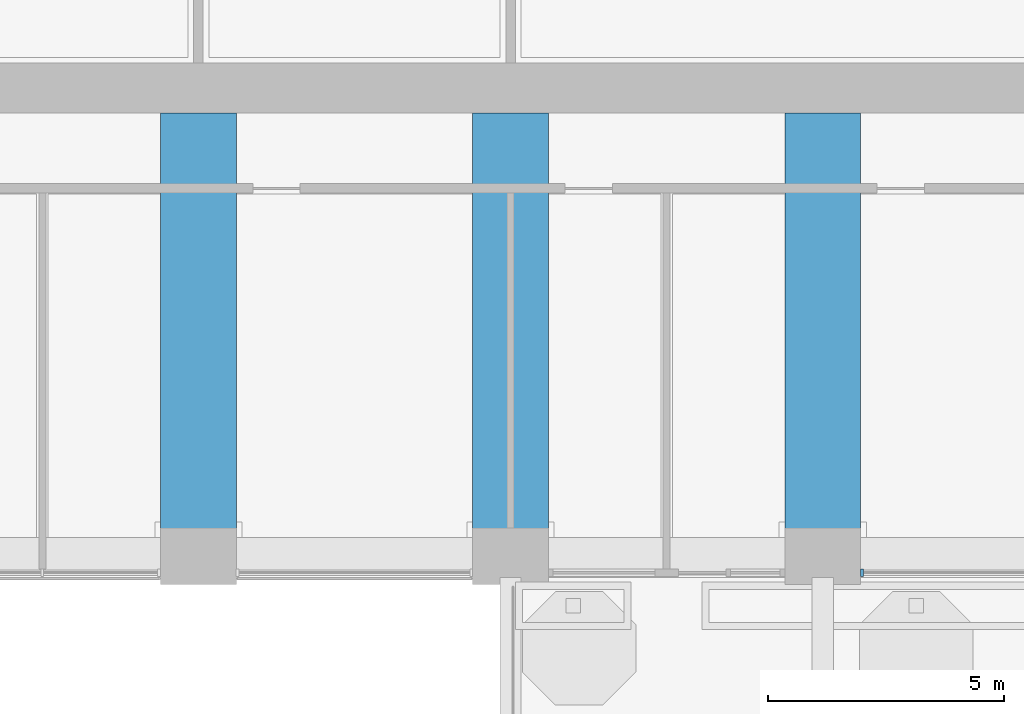
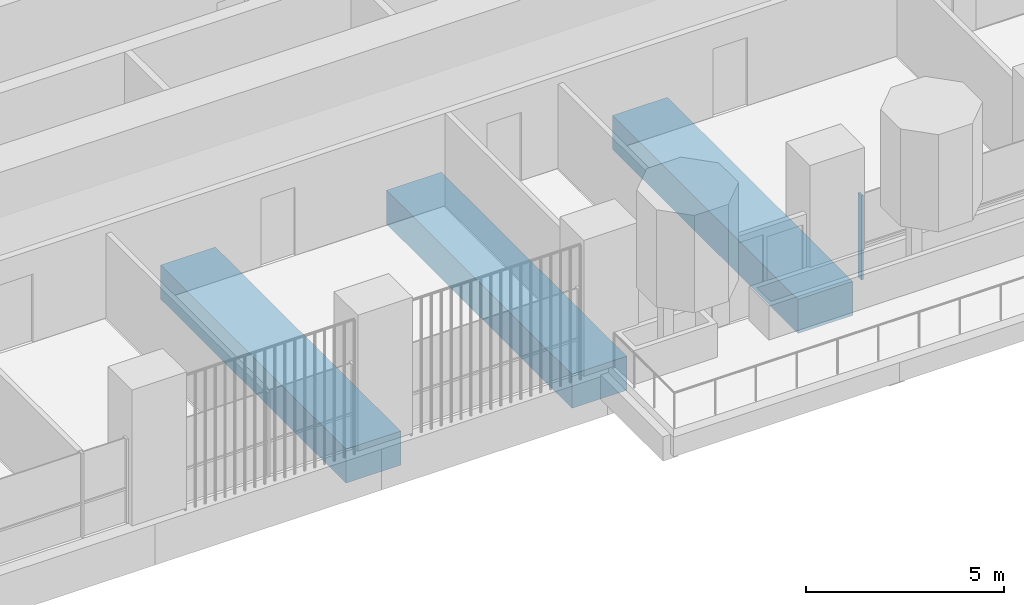
# One storey, part 3 of 20: 3 beams, 1 member, 1 element without a shape of its own.
"""IFC4 building model written with IfcOpenShell, lengths in metres."""

from ifc_helpers import new_model, si_unit, direction, frame, origin, origin_2d, place, context, subcontext, project, spatial, rectangle, extrude, material, material_profile, profile_set, type_object, element, aggregate, save


model = new_model("IFC4")

# Units and contexts
model_context = context("Model", 3, precision=1e-05, world=origin(), true_north=direction((0.0, 1.0)))
body_context = subcontext(model_context, "Body", "Model", "MODEL_VIEW")
ifc_project = project(units=[si_unit("LENGTHUNIT", "METRE"), si_unit("AREAUNIT", "SQUARE_METRE"), si_unit("VOLUMEUNIT", "CUBIC_METRE"), si_unit("PLANEANGLEUNIT", "RADIAN"), si_unit("MASSUNIT", "GRAM", prefix="KILO")], contexts=[model_context])

# Site, building, storey
site_placement = place(None, origin())
site = spatial("IfcSite", under=ifc_project, at=site_placement, CompositionType="ELEMENT")
building_placement = place(site_placement, origin())
building = spatial("IfcBuilding", under=site, at=building_placement, Name="Cobogo Forest Laboratory Tower", CompositionType="ELEMENT")
storey_placement = place(building_placement, frame((0.0, 0.0, 214.5)))
storey = spatial("IfcBuildingStorey", under=building, at=storey_placement, Name="L49", CompositionType="ELEMENT", Elevation=214.5)

# Beams
ifc_material_1 = material(Name="Concrete HA-50 (C50/60)", Category="concrete")
ifc_material_profile_1 = material_profile(ifc_material_1, rectangle(XDim=1.60009765625, YDim=1.050048828125, at=origin_2d()), Name="RC 1600x1050")
ifc_profile_set_1 = profile_set([ifc_material_profile_1], Name="Concrete HA-50 (C50/60)")
beam_type = type_object("IfcBeamType", Name="Laboratory floor wide beam 1600x1050", PredefinedType="BEAM", material=ifc_profile_set_1)
for number, where, z_axis, x_axis, name in (
    (1, (19.800048828125, 12.675048828125, -0.824951171875), (0.0, -1.0, 0.0), (1.0, 0.0, 0.0), "RB8 R-4-S L49"),
    (2, (26.39990234375, 12.675048828125, -0.824951171875), (0.0, -1.0, 0.0), (1.0, 0.0, 0.0), "RB8 R-5-S L49"),
    (3, (33.0, 12.675048828125, -0.824951171875), (0.0, -1.0, 0.0), (1.0, 0.0, 0.0), "RB8 R-6-S L49"),
):
    element("IfcBeam", number, at=place(storey_placement, frame(where, z_axis=z_axis, x_axis=x_axis)), inside=storey, type_object=beam_type, Name=name, PredefinedType="BEAM", context=body_context, shape_type="SweptSolid", body=[
        extrude(rectangle(XDim=1.60009765625, YDim=1.050048828125, at=origin_2d()), origin(), (0.0, 0.0, 1.0), 9.375),
    ])

# Curtain wall, member
ifc_material_2 = material(Name="Aluminium curtain wall", Category="aluminium")
curtain_wall_type = type_object("IfcCurtainWallType", Name="CW-2 unitised curtain wall, solar control glazing, laboratory floors zones C and D", PredefinedType="USERDEFINED", material=ifc_material_2)
curtain_wall_placement = place(storey_placement, origin())
curtain_wall = element("IfcCurtainWall", 4, at=curtain_wall_placement, inside=storey, type_object=curtain_wall_type, Name="Curtain wall 05 L49", ObjectType="UNITISED CURTAIN WALL", PredefinedType="USERDEFINED")
ifc_material_3 = material(Name="Aluminium mullion", Category="aluminium")
ifc_material_profile_2 = material_profile(ifc_material_3, rectangle(XDim=0.06005859375, YDim=0.159912109375, at=origin_2d()), Name="AL 60x160")
ifc_profile_set_2 = profile_set([ifc_material_profile_2], Name="Aluminium mullion")
member_type = type_object("IfcMemberType", Name="MU-1 aluminium mullion 60x160", PredefinedType="MULLION", material=ifc_profile_set_2)
member_placement = place(storey_placement, frame((33.830078125, 2.949951171875, 0.0), z_axis=(0.0, 0.0, 1.0), x_axis=(1.0, 0.0, 0.0)))
member = element("IfcMember", 5, at=member_placement, type_object=member_type, Name="CW-2 mullion 1", PredefinedType="MULLION", context=body_context, shape_type="SweptSolid", body=[
    extrude(rectangle(XDim=0.06005859375, YDim=0.159912109375, at=origin_2d()), origin(), (0.0, 0.0, 1.0), 2.60009765625),
])
aggregate(curtain_wall, [member])

save(model, "model.ifc")
